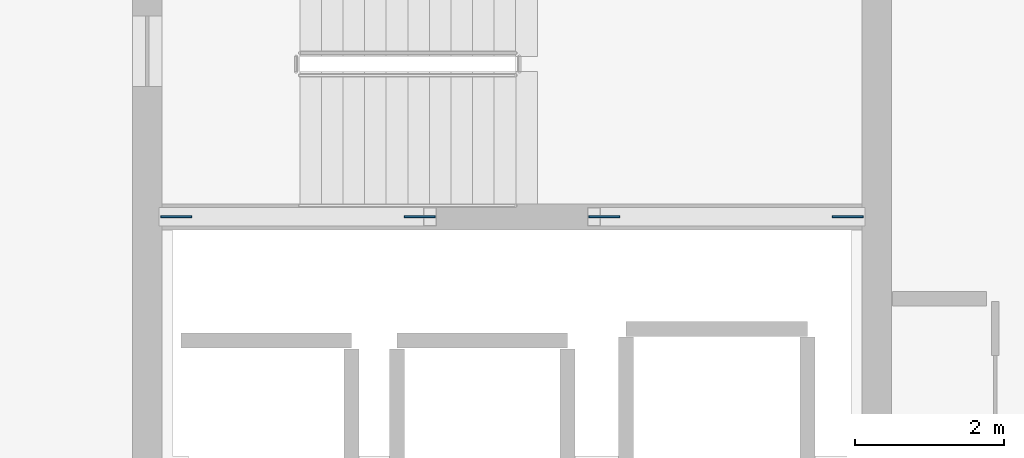
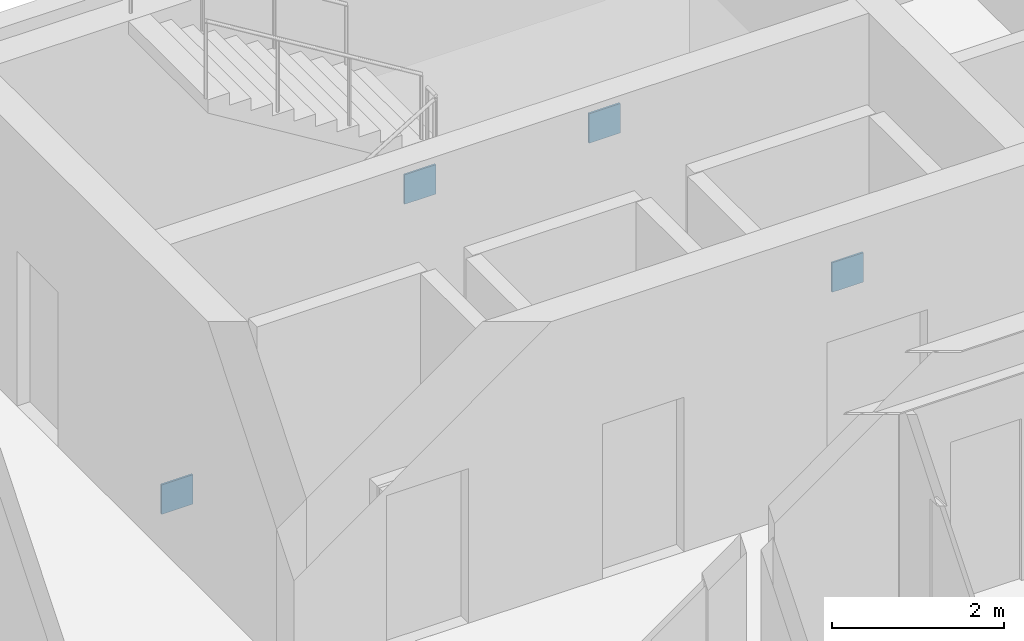
# One storey, part 29 of 59: 4 plates.
"""IFC4 building model written with IfcOpenShell, lengths in metres."""

from ifc_helpers import new_model, si_unit, direction, frame, origin, origin_2d, place, context, subcontext, project, spatial, rectangle, extrude, material, layer, layer_set, type_object, element, save


model = new_model("IFC4")

# Units and contexts
model_context = context("Model", 3, precision=1e-05, world=origin(), true_north=direction((0.0, 1.0)))
body_context = subcontext(model_context, "Body", "Model", "MODEL_VIEW")
ifc_project = project(units=[si_unit("LENGTHUNIT", "METRE"), si_unit("AREAUNIT", "SQUARE_METRE"), si_unit("VOLUMEUNIT", "CUBIC_METRE"), si_unit("PLANEANGLEUNIT", "RADIAN"), si_unit("MASSUNIT", "GRAM", prefix="KILO")], contexts=[model_context])

# Site, building, storey
site_placement = place(None, origin())
site = spatial("IfcSite", under=ifc_project, at=site_placement, CompositionType="ELEMENT")
building_placement = place(site_placement, origin())
building = spatial("IfcBuilding", under=site, at=building_placement, Name="Sollismere Congress Hotel", CompositionType="ELEMENT")
storey_placement = place(building_placement, frame((0.0, 0.0, 15.60009765625)))
storey = spatial("IfcBuildingStorey", under=building, at=storey_placement, Name="L03", CompositionType="ELEMENT", Elevation=15.60009765625)

# Plates
ifc_material = material(Name="Steel ASTM A572 Grade 50", Category="steel")
ifc_layer = layer(ifc_material, 0.02490234375, Name="Steel ASTM A572 Grade 50")
ifc_layer_set = layer_set([ifc_layer], Name="Steel ASTM A572 Grade 50")
plate_type = type_object("IfcPlateType", Name="PL-GS25", PredefinedType="USERDEFINED", material=ifc_layer_set)
for number, where, z_axis, x_axis, name in (
    (1, (94.18994140625, 14.35009765625, -0.030029296875), (0.0, 0.0, 1.0), (1.0, 0.0, 0.0), "PLT-GBF-BF-007-A"),
    (2, (97.4599609375, 14.35009765625, 3.23486328125), (0.0, 0.0, 1.0), (1.0, 0.0, 0.0), "PLT-GBF-BF-007-B"),
    (3, (103.2099609375, 14.35009765625, -0.030029296875), (0.0, 0.0, 1.0), (1.0, 0.0, 0.0), "PLT-GBF-BF-008-A"),
    (4, (99.93994140625, 14.35009765625, 3.23486328125), (0.0, 0.0, 1.0), (1.0, 0.0, 0.0), "PLT-GBF-BF-008-B"),
):
    element("IfcPlate", number, at=place(storey_placement, frame(where, z_axis=z_axis, x_axis=x_axis)), inside=storey, type_object=plate_type, Name=name, ObjectType="GUSSET PLATE", PredefinedType="USERDEFINED", context=body_context, shape_type="SweptSolid", body=[
        extrude(rectangle(XDim=0.419921875, YDim=0.02490234375, at=origin_2d()), origin(), (0.0, 0.0, 1.0), 0.419921875),
    ])

save(model, "model.ifc")
